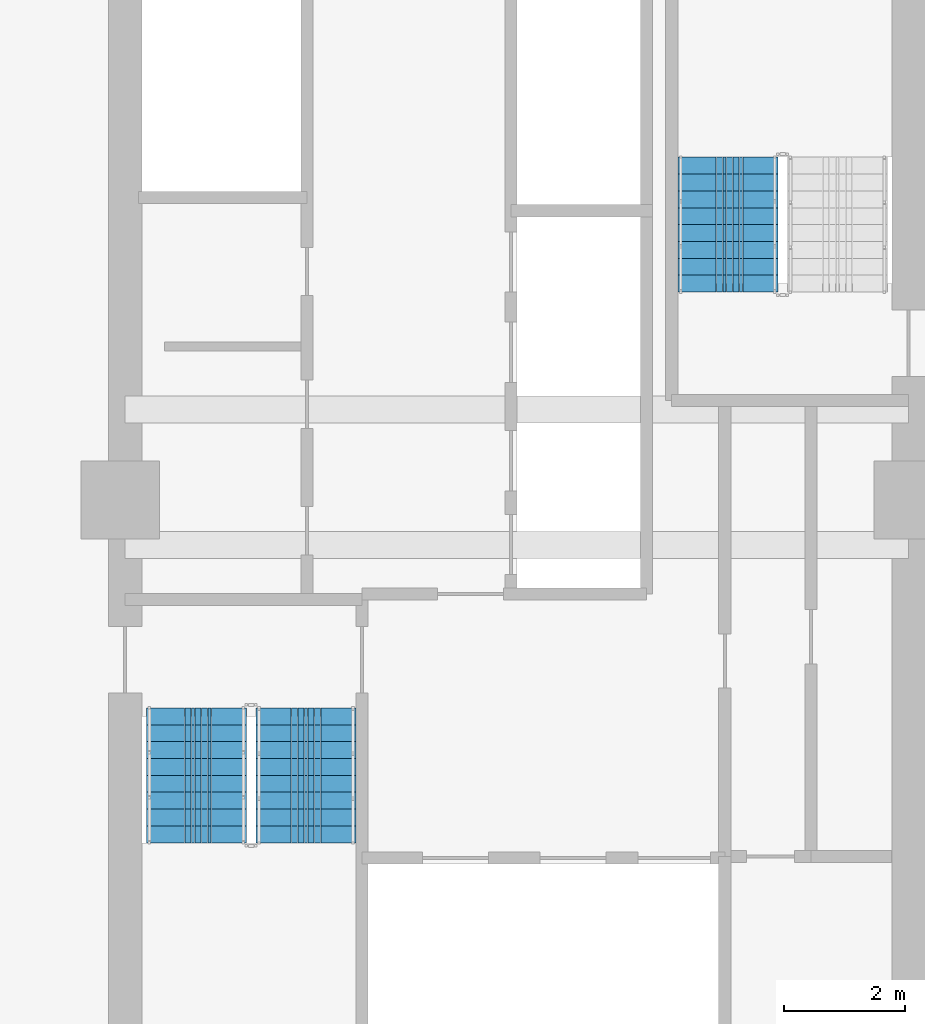
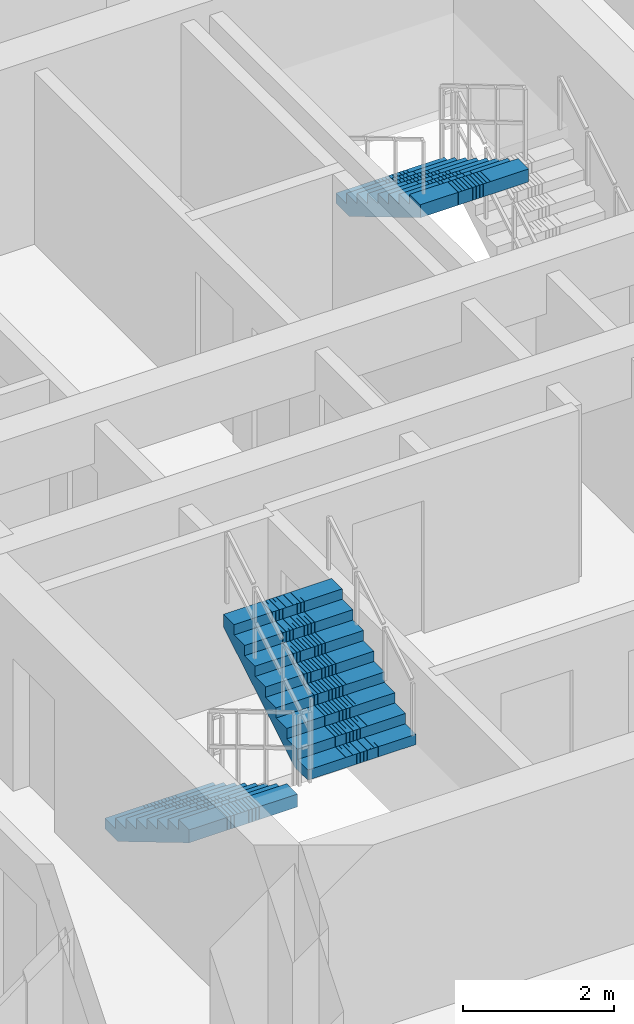
# One storey, part 19 of 24: 3 stair flights, 2 elements without a shape of their own.
"""IFC4 building model written with IfcOpenShell, lengths in metres."""

from ifc_helpers import new_model, si_unit, direction, frame, origin, place, context, subcontext, project, spatial, polyline, outline, extrude, material, type_object, element, aggregate, save


model = new_model("IFC4")

# Units and contexts
model_context = context("Model", 3, precision=1e-05, world=origin(), true_north=direction((0.0, 1.0)))
body_context = subcontext(model_context, "Body", "Model", "MODEL_VIEW")
ifc_project = project(units=[si_unit("LENGTHUNIT", "METRE"), si_unit("AREAUNIT", "SQUARE_METRE"), si_unit("VOLUMEUNIT", "CUBIC_METRE"), si_unit("PLANEANGLEUNIT", "RADIAN"), si_unit("MASSUNIT", "GRAM", prefix="KILO")], contexts=[model_context])

# Site, building, storey
site_placement = place(None, origin())
site = spatial("IfcSite", under=ifc_project, at=site_placement, CompositionType="ELEMENT")
building_placement = place(site_placement, origin())
building = spatial("IfcBuilding", under=site, at=building_placement, Name="Saelheon Loggia Tower", CompositionType="ELEMENT")
storey_placement = place(building_placement, frame((0.0, 0.0, 126.75)))
storey = spatial("IfcBuildingStorey", under=building, at=storey_placement, Name="L40", CompositionType="ELEMENT", Elevation=126.75)

# Stair, stair flights
ifc_material = material(Name="Concrete C40/50", Category="concrete")
stair_type = type_object("IfcStairType", Name="Stair_Escape_Core", PredefinedType="HALF_TURN_STAIR", material=ifc_material)
stair_1_placement = place(storey_placement, origin())
stair_1 = element("IfcStair", 1, at=stair_1_placement, inside=storey, type_object=stair_type, Name="L40 Special Escape Stair ST1", PredefinedType="HALF_TURN_STAIR")
stair_flight_type = type_object("IfcStairFlightType", Name="StairFlight_Tower_1660", PredefinedType="STRAIGHT", material=ifc_material)
stair_flight_1_placement = place(storey_placement, frame((32.679931640625, 23.550048828125, 0.0), z_axis=(0.0, 0.0, 1.0), x_axis=(0.0, -1.0, 0.0)))
stair_flight_1 = element("IfcStairFlight", 2, at=stair_flight_1_placement, type_object=stair_flight_type, Name="ST1 flight 1", NumberOfRisers=9, NumberOfTreads=8, PredefinedType="STRAIGHT", RiserHeight=0.166666667, TreadLength=0.28, context=body_context, shape_type="SweptSolid", body=[
    extrude(outline(polyline([(0.0, 0.0), (0.0, 0.166748046875), (0.280029296875, 0.166748046875), (0.280029296875, 0.333251953125), (0.56005859375, 0.333251953125), (0.56005859375, 0.5), (0.840087890625, 0.5), (0.840087890625, 0.666748046875), (1.1201171875, 0.666748046875), (1.1201171875, 0.833251953125), (1.39990234375, 0.833251953125), (1.39990234375, 1.0), (1.679931640625, 1.0), (1.679931640625, 1.166748046875), (1.9599609375, 1.166748046875), (1.9599609375, 1.333251953125), (2.239990234375, 1.333251953125), (2.239990234375, 1.5), (2.239990234375, 1.1240234375), (0.351806640625, 0.0), (0.0, 0.0)])), frame((0.0, -0.2490234375, 0.0), z_axis=(0.0, -1.0, 0.0), x_axis=(1.0, 0.0, 0.0)), (0.0, 0.0, 1.0), 0.5810546875),
    extrude(outline(polyline([(0.0, 0.0), (0.0, 0.166748046875), (0.280029296875, 0.166748046875), (0.280029296875, 0.333251953125), (0.56005859375, 0.333251953125), (0.56005859375, 0.5), (0.840087890625, 0.5), (0.840087890625, 0.666748046875), (1.1201171875, 0.666748046875), (1.1201171875, 0.833251953125), (1.39990234375, 0.833251953125), (1.39990234375, 1.0), (1.679931640625, 1.0), (1.679931640625, 1.166748046875), (1.9599609375, 1.166748046875), (1.9599609375, 1.333251953125), (2.239990234375, 1.333251953125), (2.239990234375, 1.5), (2.239990234375, 1.1240234375), (0.351806640625, 0.0), (0.0, 0.0)])), frame((0.0, -0.194091796875, 0.0), z_axis=(0.0, -1.0, 0.0), x_axis=(1.0, 0.0, 0.0)), (0.0, 0.0, 1.0), 0.0498046875),
    extrude(outline(polyline([(0.0, 0.0), (0.0, 0.166748046875), (0.280029296875, 0.166748046875), (0.280029296875, 0.333251953125), (0.56005859375, 0.333251953125), (0.56005859375, 0.5), (0.840087890625, 0.5), (0.840087890625, 0.666748046875), (1.1201171875, 0.666748046875), (1.1201171875, 0.833251953125), (1.39990234375, 0.833251953125), (1.39990234375, 1.0), (1.679931640625, 1.0), (1.679931640625, 1.166748046875), (1.9599609375, 1.166748046875), (1.9599609375, 1.333251953125), (2.239990234375, 1.333251953125), (2.239990234375, 1.5), (2.239990234375, 1.1240234375), (0.351806640625, 0.0), (0.0, 0.0)])), frame((0.0, -0.139404296875, 0.0), z_axis=(0.0, -1.0, 0.0), x_axis=(1.0, 0.0, 0.0)), (0.0, 0.0, 1.0), 0.0498046875),
    extrude(outline(polyline([(0.0, 0.0), (0.0, 0.166748046875), (0.280029296875, 0.166748046875), (0.280029296875, 0.333251953125), (0.56005859375, 0.333251953125), (0.56005859375, 0.5), (0.840087890625, 0.5), (0.840087890625, 0.666748046875), (1.1201171875, 0.666748046875), (1.1201171875, 0.833251953125), (1.39990234375, 0.833251953125), (1.39990234375, 1.0), (1.679931640625, 1.0), (1.679931640625, 1.166748046875), (1.9599609375, 1.166748046875), (1.9599609375, 1.333251953125), (2.239990234375, 1.333251953125), (2.239990234375, 1.5), (2.239990234375, 1.1240234375), (0.351806640625, 0.0), (0.0, 0.0)])), frame((0.0, -0.084716796875, 0.0), z_axis=(0.0, -1.0, 0.0), x_axis=(1.0, 0.0, 0.0)), (0.0, 0.0, 1.0), 0.0498046875),
    extrude(outline(polyline([(0.0, 0.0), (0.0, 0.166748046875), (0.280029296875, 0.166748046875), (0.280029296875, 0.333251953125), (0.56005859375, 0.333251953125), (0.56005859375, 0.5), (0.840087890625, 0.5), (0.840087890625, 0.666748046875), (1.1201171875, 0.666748046875), (1.1201171875, 0.833251953125), (1.39990234375, 0.833251953125), (1.39990234375, 1.0), (1.679931640625, 1.0), (1.679931640625, 1.166748046875), (1.9599609375, 1.166748046875), (1.9599609375, 1.333251953125), (2.239990234375, 1.333251953125), (2.239990234375, 1.5), (2.239990234375, 1.1240234375), (0.351806640625, 0.0), (0.0, 0.0)])), frame((0.0, -0.02978515625, 0.0), z_axis=(0.0, -1.0, 0.0), x_axis=(1.0, 0.0, 0.0)), (0.0, 0.0, 1.0), 0.0498046875),
    extrude(outline(polyline([(0.0, 0.0), (0.0, 0.166748046875), (0.280029296875, 0.166748046875), (0.280029296875, 0.333251953125), (0.56005859375, 0.333251953125), (0.56005859375, 0.5), (0.840087890625, 0.5), (0.840087890625, 0.666748046875), (1.1201171875, 0.666748046875), (1.1201171875, 0.833251953125), (1.39990234375, 0.833251953125), (1.39990234375, 1.0), (1.679931640625, 1.0), (1.679931640625, 1.166748046875), (1.9599609375, 1.166748046875), (1.9599609375, 1.333251953125), (2.239990234375, 1.333251953125), (2.239990234375, 1.5), (2.239990234375, 1.1240234375), (0.351806640625, 0.0), (0.0, 0.0)])), frame((0.0, 0.02490234375, 0.0), z_axis=(0.0, -1.0, 0.0), x_axis=(1.0, 0.0, 0.0)), (0.0, 0.0, 1.0), 0.0498046875),
    extrude(outline(polyline([(0.0, 0.0), (0.0, 0.166748046875), (0.280029296875, 0.166748046875), (0.280029296875, 0.333251953125), (0.56005859375, 0.333251953125), (0.56005859375, 0.5), (0.840087890625, 0.5), (0.840087890625, 0.666748046875), (1.1201171875, 0.666748046875), (1.1201171875, 0.833251953125), (1.39990234375, 0.833251953125), (1.39990234375, 1.0), (1.679931640625, 1.0), (1.679931640625, 1.166748046875), (1.9599609375, 1.166748046875), (1.9599609375, 1.333251953125), (2.239990234375, 1.333251953125), (2.239990234375, 1.5), (2.239990234375, 1.1240234375), (0.351806640625, 0.0), (0.0, 0.0)])), frame((0.0, 0.07958984375, 0.0), z_axis=(0.0, -1.0, 0.0), x_axis=(1.0, 0.0, 0.0)), (0.0, 0.0, 1.0), 0.0498046875),
    extrude(outline(polyline([(0.0, 0.0), (0.0, 0.166748046875), (0.280029296875, 0.166748046875), (0.280029296875, 0.333251953125), (0.56005859375, 0.333251953125), (0.56005859375, 0.5), (0.840087890625, 0.5), (0.840087890625, 0.666748046875), (1.1201171875, 0.666748046875), (1.1201171875, 0.833251953125), (1.39990234375, 0.833251953125), (1.39990234375, 1.0), (1.679931640625, 1.0), (1.679931640625, 1.166748046875), (1.9599609375, 1.166748046875), (1.9599609375, 1.333251953125), (2.239990234375, 1.333251953125), (2.239990234375, 1.5), (2.239990234375, 1.1240234375), (0.351806640625, 0.0), (0.0, 0.0)])), frame((0.0, 0.134521484375, 0.0), z_axis=(0.0, -1.0, 0.0), x_axis=(1.0, 0.0, 0.0)), (0.0, 0.0, 1.0), 0.0498046875),
    extrude(outline(polyline([(0.0, 0.0), (0.0, 0.166748046875), (0.280029296875, 0.166748046875), (0.280029296875, 0.333251953125), (0.56005859375, 0.333251953125), (0.56005859375, 0.5), (0.840087890625, 0.5), (0.840087890625, 0.666748046875), (1.1201171875, 0.666748046875), (1.1201171875, 0.833251953125), (1.39990234375, 0.833251953125), (1.39990234375, 1.0), (1.679931640625, 1.0), (1.679931640625, 1.166748046875), (1.9599609375, 1.166748046875), (1.9599609375, 1.333251953125), (2.239990234375, 1.333251953125), (2.239990234375, 1.5), (2.239990234375, 1.1240234375), (0.351806640625, 0.0), (0.0, 0.0)])), frame((0.0, 0.189208984375, 0.0), z_axis=(0.0, -1.0, 0.0), x_axis=(1.0, 0.0, 0.0)), (0.0, 0.0, 1.0), 0.0498046875),
    extrude(outline(polyline([(0.0, 0.0), (0.0, 0.166748046875), (0.280029296875, 0.166748046875), (0.280029296875, 0.333251953125), (0.56005859375, 0.333251953125), (0.56005859375, 0.5), (0.840087890625, 0.5), (0.840087890625, 0.666748046875), (1.1201171875, 0.666748046875), (1.1201171875, 0.833251953125), (1.39990234375, 0.833251953125), (1.39990234375, 1.0), (1.679931640625, 1.0), (1.679931640625, 1.166748046875), (1.9599609375, 1.166748046875), (1.9599609375, 1.333251953125), (2.239990234375, 1.333251953125), (2.239990234375, 1.5), (2.239990234375, 1.1240234375), (0.351806640625, 0.0), (0.0, 0.0)])), frame((0.0, 0.243896484375, 0.0), z_axis=(0.0, -1.0, 0.0), x_axis=(1.0, 0.0, 0.0)), (0.0, 0.0, 1.0), 0.0498046875),
    extrude(outline(polyline([(0.0, 0.0), (0.0, 0.166748046875), (0.280029296875, 0.166748046875), (0.280029296875, 0.333251953125), (0.56005859375, 0.333251953125), (0.56005859375, 0.5), (0.840087890625, 0.5), (0.840087890625, 0.666748046875), (1.1201171875, 0.666748046875), (1.1201171875, 0.833251953125), (1.39990234375, 0.833251953125), (1.39990234375, 1.0), (1.679931640625, 1.0), (1.679931640625, 1.166748046875), (1.9599609375, 1.166748046875), (1.9599609375, 1.333251953125), (2.239990234375, 1.333251953125), (2.239990234375, 1.5), (2.239990234375, 1.1240234375), (0.351806640625, 0.0), (0.0, 0.0)])), frame((0.0, 0.830078125, 0.0), z_axis=(0.0, -1.0, 0.0), x_axis=(1.0, 0.0, 0.0)), (0.0, 0.0, 1.0), 0.5810546875),
])
stair_flight_2_placement = place(storey_placement, frame((34.5, 21.31005859375, 1.5), z_axis=(0.0, 0.0, 1.0), x_axis=(0.0, 1.0, 0.0)))
stair_flight_2 = element("IfcStairFlight", 3, at=stair_flight_2_placement, type_object=stair_flight_type, Name="ST1 flight 2", NumberOfRisers=9, NumberOfTreads=8, PredefinedType="STRAIGHT", RiserHeight=0.166666667, TreadLength=0.28, context=body_context, shape_type="SweptSolid", body=[
    extrude(outline(polyline([(0.0, 0.0), (0.0, 0.166748046875), (0.280029296875, 0.166748046875), (0.280029296875, 0.333251953125), (0.56005859375, 0.333251953125), (0.56005859375, 0.5), (0.840087890625, 0.5), (0.840087890625, 0.666748046875), (1.1201171875, 0.666748046875), (1.1201171875, 0.833251953125), (1.39990234375, 0.833251953125), (1.39990234375, 1.0), (1.679931640625, 1.0), (1.679931640625, 1.166748046875), (1.9599609375, 1.166748046875), (1.9599609375, 1.333251953125), (2.239990234375, 1.333251953125), (2.239990234375, 1.5), (2.239990234375, 1.1240234375), (0.351806640625, 0.0), (0.0, 0.0)])), frame((0.0, -0.2490234375, 0.0), z_axis=(0.0, -1.0, 0.0), x_axis=(1.0, 0.0, 0.0)), (0.0, 0.0, 1.0), 0.5810546875),
    extrude(outline(polyline([(0.0, 0.0), (0.0, 0.166748046875), (0.280029296875, 0.166748046875), (0.280029296875, 0.333251953125), (0.56005859375, 0.333251953125), (0.56005859375, 0.5), (0.840087890625, 0.5), (0.840087890625, 0.666748046875), (1.1201171875, 0.666748046875), (1.1201171875, 0.833251953125), (1.39990234375, 0.833251953125), (1.39990234375, 1.0), (1.679931640625, 1.0), (1.679931640625, 1.166748046875), (1.9599609375, 1.166748046875), (1.9599609375, 1.333251953125), (2.239990234375, 1.333251953125), (2.239990234375, 1.5), (2.239990234375, 1.1240234375), (0.351806640625, 0.0), (0.0, 0.0)])), frame((0.0, -0.194091796875, 0.0), z_axis=(0.0, -1.0, 0.0), x_axis=(1.0, 0.0, 0.0)), (0.0, 0.0, 1.0), 0.0498046875),
    extrude(outline(polyline([(0.0, 0.0), (0.0, 0.166748046875), (0.280029296875, 0.166748046875), (0.280029296875, 0.333251953125), (0.56005859375, 0.333251953125), (0.56005859375, 0.5), (0.840087890625, 0.5), (0.840087890625, 0.666748046875), (1.1201171875, 0.666748046875), (1.1201171875, 0.833251953125), (1.39990234375, 0.833251953125), (1.39990234375, 1.0), (1.679931640625, 1.0), (1.679931640625, 1.166748046875), (1.9599609375, 1.166748046875), (1.9599609375, 1.333251953125), (2.239990234375, 1.333251953125), (2.239990234375, 1.5), (2.239990234375, 1.1240234375), (0.351806640625, 0.0), (0.0, 0.0)])), frame((0.0, -0.139404296875, 0.0), z_axis=(0.0, -1.0, 0.0), x_axis=(1.0, 0.0, 0.0)), (0.0, 0.0, 1.0), 0.0498046875),
    extrude(outline(polyline([(0.0, 0.0), (0.0, 0.166748046875), (0.280029296875, 0.166748046875), (0.280029296875, 0.333251953125), (0.56005859375, 0.333251953125), (0.56005859375, 0.5), (0.840087890625, 0.5), (0.840087890625, 0.666748046875), (1.1201171875, 0.666748046875), (1.1201171875, 0.833251953125), (1.39990234375, 0.833251953125), (1.39990234375, 1.0), (1.679931640625, 1.0), (1.679931640625, 1.166748046875), (1.9599609375, 1.166748046875), (1.9599609375, 1.333251953125), (2.239990234375, 1.333251953125), (2.239990234375, 1.5), (2.239990234375, 1.1240234375), (0.351806640625, 0.0), (0.0, 0.0)])), frame((0.0, -0.084716796875, 0.0), z_axis=(0.0, -1.0, 0.0), x_axis=(1.0, 0.0, 0.0)), (0.0, 0.0, 1.0), 0.0498046875),
    extrude(outline(polyline([(0.0, 0.0), (0.0, 0.166748046875), (0.280029296875, 0.166748046875), (0.280029296875, 0.333251953125), (0.56005859375, 0.333251953125), (0.56005859375, 0.5), (0.840087890625, 0.5), (0.840087890625, 0.666748046875), (1.1201171875, 0.666748046875), (1.1201171875, 0.833251953125), (1.39990234375, 0.833251953125), (1.39990234375, 1.0), (1.679931640625, 1.0), (1.679931640625, 1.166748046875), (1.9599609375, 1.166748046875), (1.9599609375, 1.333251953125), (2.239990234375, 1.333251953125), (2.239990234375, 1.5), (2.239990234375, 1.1240234375), (0.351806640625, 0.0), (0.0, 0.0)])), frame((0.0, -0.02978515625, 0.0), z_axis=(0.0, -1.0, 0.0), x_axis=(1.0, 0.0, 0.0)), (0.0, 0.0, 1.0), 0.0498046875),
    extrude(outline(polyline([(0.0, 0.0), (0.0, 0.166748046875), (0.280029296875, 0.166748046875), (0.280029296875, 0.333251953125), (0.56005859375, 0.333251953125), (0.56005859375, 0.5), (0.840087890625, 0.5), (0.840087890625, 0.666748046875), (1.1201171875, 0.666748046875), (1.1201171875, 0.833251953125), (1.39990234375, 0.833251953125), (1.39990234375, 1.0), (1.679931640625, 1.0), (1.679931640625, 1.166748046875), (1.9599609375, 1.166748046875), (1.9599609375, 1.333251953125), (2.239990234375, 1.333251953125), (2.239990234375, 1.5), (2.239990234375, 1.1240234375), (0.351806640625, 0.0), (0.0, 0.0)])), frame((0.0, 0.02490234375, 0.0), z_axis=(0.0, -1.0, 0.0), x_axis=(1.0, 0.0, 0.0)), (0.0, 0.0, 1.0), 0.0498046875),
    extrude(outline(polyline([(0.0, 0.0), (0.0, 0.166748046875), (0.280029296875, 0.166748046875), (0.280029296875, 0.333251953125), (0.56005859375, 0.333251953125), (0.56005859375, 0.5), (0.840087890625, 0.5), (0.840087890625, 0.666748046875), (1.1201171875, 0.666748046875), (1.1201171875, 0.833251953125), (1.39990234375, 0.833251953125), (1.39990234375, 1.0), (1.679931640625, 1.0), (1.679931640625, 1.166748046875), (1.9599609375, 1.166748046875), (1.9599609375, 1.333251953125), (2.239990234375, 1.333251953125), (2.239990234375, 1.5), (2.239990234375, 1.1240234375), (0.351806640625, 0.0), (0.0, 0.0)])), frame((0.0, 0.07958984375, 0.0), z_axis=(0.0, -1.0, 0.0), x_axis=(1.0, 0.0, 0.0)), (0.0, 0.0, 1.0), 0.0498046875),
    extrude(outline(polyline([(0.0, 0.0), (0.0, 0.166748046875), (0.280029296875, 0.166748046875), (0.280029296875, 0.333251953125), (0.56005859375, 0.333251953125), (0.56005859375, 0.5), (0.840087890625, 0.5), (0.840087890625, 0.666748046875), (1.1201171875, 0.666748046875), (1.1201171875, 0.833251953125), (1.39990234375, 0.833251953125), (1.39990234375, 1.0), (1.679931640625, 1.0), (1.679931640625, 1.166748046875), (1.9599609375, 1.166748046875), (1.9599609375, 1.333251953125), (2.239990234375, 1.333251953125), (2.239990234375, 1.5), (2.239990234375, 1.1240234375), (0.351806640625, 0.0), (0.0, 0.0)])), frame((0.0, 0.134521484375, 0.0), z_axis=(0.0, -1.0, 0.0), x_axis=(1.0, 0.0, 0.0)), (0.0, 0.0, 1.0), 0.0498046875),
    extrude(outline(polyline([(0.0, 0.0), (0.0, 0.166748046875), (0.280029296875, 0.166748046875), (0.280029296875, 0.333251953125), (0.56005859375, 0.333251953125), (0.56005859375, 0.5), (0.840087890625, 0.5), (0.840087890625, 0.666748046875), (1.1201171875, 0.666748046875), (1.1201171875, 0.833251953125), (1.39990234375, 0.833251953125), (1.39990234375, 1.0), (1.679931640625, 1.0), (1.679931640625, 1.166748046875), (1.9599609375, 1.166748046875), (1.9599609375, 1.333251953125), (2.239990234375, 1.333251953125), (2.239990234375, 1.5), (2.239990234375, 1.1240234375), (0.351806640625, 0.0), (0.0, 0.0)])), frame((0.0, 0.189208984375, 0.0), z_axis=(0.0, -1.0, 0.0), x_axis=(1.0, 0.0, 0.0)), (0.0, 0.0, 1.0), 0.0498046875),
    extrude(outline(polyline([(0.0, 0.0), (0.0, 0.166748046875), (0.280029296875, 0.166748046875), (0.280029296875, 0.333251953125), (0.56005859375, 0.333251953125), (0.56005859375, 0.5), (0.840087890625, 0.5), (0.840087890625, 0.666748046875), (1.1201171875, 0.666748046875), (1.1201171875, 0.833251953125), (1.39990234375, 0.833251953125), (1.39990234375, 1.0), (1.679931640625, 1.0), (1.679931640625, 1.166748046875), (1.9599609375, 1.166748046875), (1.9599609375, 1.333251953125), (2.239990234375, 1.333251953125), (2.239990234375, 1.5), (2.239990234375, 1.1240234375), (0.351806640625, 0.0), (0.0, 0.0)])), frame((0.0, 0.243896484375, 0.0), z_axis=(0.0, -1.0, 0.0), x_axis=(1.0, 0.0, 0.0)), (0.0, 0.0, 1.0), 0.0498046875),
    extrude(outline(polyline([(0.0, 0.0), (0.0, 0.166748046875), (0.280029296875, 0.166748046875), (0.280029296875, 0.333251953125), (0.56005859375, 0.333251953125), (0.56005859375, 0.5), (0.840087890625, 0.5), (0.840087890625, 0.666748046875), (1.1201171875, 0.666748046875), (1.1201171875, 0.833251953125), (1.39990234375, 0.833251953125), (1.39990234375, 1.0), (1.679931640625, 1.0), (1.679931640625, 1.166748046875), (1.9599609375, 1.166748046875), (1.9599609375, 1.333251953125), (2.239990234375, 1.333251953125), (2.239990234375, 1.5), (2.239990234375, 1.1240234375), (0.351806640625, 0.0), (0.0, 0.0)])), frame((0.0, 0.830078125, 0.0), z_axis=(0.0, -1.0, 0.0), x_axis=(1.0, 0.0, 0.0)), (0.0, 0.0, 1.0), 0.5810546875),
])
aggregate(stair_1, [stair_flight_1, stair_flight_2])

# Stair, stair flight
stair_2_placement = place(storey_placement, origin())
stair_2 = element("IfcStair", 4, at=stair_2_placement, inside=storey, type_object=stair_type, Name="L40 Special Escape Stair ST2", PredefinedType="HALF_TURN_STAIR")
stair_flight_3_placement = place(storey_placement, frame((41.5, 32.68994140625, 1.5), z_axis=(0.0, 0.0, 1.0), x_axis=(0.0, -1.0, 0.0)))
stair_flight_3 = element("IfcStairFlight", 5, at=stair_flight_3_placement, type_object=stair_flight_type, Name="ST2 flight 2", NumberOfRisers=9, NumberOfTreads=8, PredefinedType="STRAIGHT", RiserHeight=0.166666667, TreadLength=0.28, context=body_context, shape_type="SweptSolid", body=[
    extrude(outline(polyline([(0.0, 0.0), (0.0, 0.166748046875), (0.280029296875, 0.166748046875), (0.280029296875, 0.333251953125), (0.56005859375, 0.333251953125), (0.56005859375, 0.5), (0.840087890625, 0.5), (0.840087890625, 0.666748046875), (1.1201171875, 0.666748046875), (1.1201171875, 0.833251953125), (1.39990234375, 0.833251953125), (1.39990234375, 1.0), (1.679931640625, 1.0), (1.679931640625, 1.166748046875), (1.9599609375, 1.166748046875), (1.9599609375, 1.333251953125), (2.239990234375, 1.333251953125), (2.239990234375, 1.5), (2.239990234375, 1.1240234375), (0.351806640625, 0.0), (0.0, 0.0)])), frame((0.0, -0.2490234375, 0.0), z_axis=(0.0, -1.0, 0.0), x_axis=(1.0, 0.0, 0.0)), (0.0, 0.0, 1.0), 0.5810546875),
    extrude(outline(polyline([(0.0, 0.0), (0.0, 0.166748046875), (0.280029296875, 0.166748046875), (0.280029296875, 0.333251953125), (0.56005859375, 0.333251953125), (0.56005859375, 0.5), (0.840087890625, 0.5), (0.840087890625, 0.666748046875), (1.1201171875, 0.666748046875), (1.1201171875, 0.833251953125), (1.39990234375, 0.833251953125), (1.39990234375, 1.0), (1.679931640625, 1.0), (1.679931640625, 1.166748046875), (1.9599609375, 1.166748046875), (1.9599609375, 1.333251953125), (2.239990234375, 1.333251953125), (2.239990234375, 1.5), (2.239990234375, 1.1240234375), (0.351806640625, 0.0), (0.0, 0.0)])), frame((0.0, -0.194091796875, 0.0), z_axis=(0.0, -1.0, 0.0), x_axis=(1.0, 0.0, 0.0)), (0.0, 0.0, 1.0), 0.0498046875),
    extrude(outline(polyline([(0.0, 0.0), (0.0, 0.166748046875), (0.280029296875, 0.166748046875), (0.280029296875, 0.333251953125), (0.56005859375, 0.333251953125), (0.56005859375, 0.5), (0.840087890625, 0.5), (0.840087890625, 0.666748046875), (1.1201171875, 0.666748046875), (1.1201171875, 0.833251953125), (1.39990234375, 0.833251953125), (1.39990234375, 1.0), (1.679931640625, 1.0), (1.679931640625, 1.166748046875), (1.9599609375, 1.166748046875), (1.9599609375, 1.333251953125), (2.239990234375, 1.333251953125), (2.239990234375, 1.5), (2.239990234375, 1.1240234375), (0.351806640625, 0.0), (0.0, 0.0)])), frame((0.0, -0.139404296875, 0.0), z_axis=(0.0, -1.0, 0.0), x_axis=(1.0, 0.0, 0.0)), (0.0, 0.0, 1.0), 0.0498046875),
    extrude(outline(polyline([(0.0, 0.0), (0.0, 0.166748046875), (0.280029296875, 0.166748046875), (0.280029296875, 0.333251953125), (0.56005859375, 0.333251953125), (0.56005859375, 0.5), (0.840087890625, 0.5), (0.840087890625, 0.666748046875), (1.1201171875, 0.666748046875), (1.1201171875, 0.833251953125), (1.39990234375, 0.833251953125), (1.39990234375, 1.0), (1.679931640625, 1.0), (1.679931640625, 1.166748046875), (1.9599609375, 1.166748046875), (1.9599609375, 1.333251953125), (2.239990234375, 1.333251953125), (2.239990234375, 1.5), (2.239990234375, 1.1240234375), (0.351806640625, 0.0), (0.0, 0.0)])), frame((0.0, -0.084716796875, 0.0), z_axis=(0.0, -1.0, 0.0), x_axis=(1.0, 0.0, 0.0)), (0.0, 0.0, 1.0), 0.0498046875),
    extrude(outline(polyline([(0.0, 0.0), (0.0, 0.166748046875), (0.280029296875, 0.166748046875), (0.280029296875, 0.333251953125), (0.56005859375, 0.333251953125), (0.56005859375, 0.5), (0.840087890625, 0.5), (0.840087890625, 0.666748046875), (1.1201171875, 0.666748046875), (1.1201171875, 0.833251953125), (1.39990234375, 0.833251953125), (1.39990234375, 1.0), (1.679931640625, 1.0), (1.679931640625, 1.166748046875), (1.9599609375, 1.166748046875), (1.9599609375, 1.333251953125), (2.239990234375, 1.333251953125), (2.239990234375, 1.5), (2.239990234375, 1.1240234375), (0.351806640625, 0.0), (0.0, 0.0)])), frame((0.0, -0.02978515625, 0.0), z_axis=(0.0, -1.0, 0.0), x_axis=(1.0, 0.0, 0.0)), (0.0, 0.0, 1.0), 0.0498046875),
    extrude(outline(polyline([(0.0, 0.0), (0.0, 0.166748046875), (0.280029296875, 0.166748046875), (0.280029296875, 0.333251953125), (0.56005859375, 0.333251953125), (0.56005859375, 0.5), (0.840087890625, 0.5), (0.840087890625, 0.666748046875), (1.1201171875, 0.666748046875), (1.1201171875, 0.833251953125), (1.39990234375, 0.833251953125), (1.39990234375, 1.0), (1.679931640625, 1.0), (1.679931640625, 1.166748046875), (1.9599609375, 1.166748046875), (1.9599609375, 1.333251953125), (2.239990234375, 1.333251953125), (2.239990234375, 1.5), (2.239990234375, 1.1240234375), (0.351806640625, 0.0), (0.0, 0.0)])), frame((0.0, 0.02490234375, 0.0), z_axis=(0.0, -1.0, 0.0), x_axis=(1.0, 0.0, 0.0)), (0.0, 0.0, 1.0), 0.0498046875),
    extrude(outline(polyline([(0.0, 0.0), (0.0, 0.166748046875), (0.280029296875, 0.166748046875), (0.280029296875, 0.333251953125), (0.56005859375, 0.333251953125), (0.56005859375, 0.5), (0.840087890625, 0.5), (0.840087890625, 0.666748046875), (1.1201171875, 0.666748046875), (1.1201171875, 0.833251953125), (1.39990234375, 0.833251953125), (1.39990234375, 1.0), (1.679931640625, 1.0), (1.679931640625, 1.166748046875), (1.9599609375, 1.166748046875), (1.9599609375, 1.333251953125), (2.239990234375, 1.333251953125), (2.239990234375, 1.5), (2.239990234375, 1.1240234375), (0.351806640625, 0.0), (0.0, 0.0)])), frame((0.0, 0.07958984375, 0.0), z_axis=(0.0, -1.0, 0.0), x_axis=(1.0, 0.0, 0.0)), (0.0, 0.0, 1.0), 0.0498046875),
    extrude(outline(polyline([(0.0, 0.0), (0.0, 0.166748046875), (0.280029296875, 0.166748046875), (0.280029296875, 0.333251953125), (0.56005859375, 0.333251953125), (0.56005859375, 0.5), (0.840087890625, 0.5), (0.840087890625, 0.666748046875), (1.1201171875, 0.666748046875), (1.1201171875, 0.833251953125), (1.39990234375, 0.833251953125), (1.39990234375, 1.0), (1.679931640625, 1.0), (1.679931640625, 1.166748046875), (1.9599609375, 1.166748046875), (1.9599609375, 1.333251953125), (2.239990234375, 1.333251953125), (2.239990234375, 1.5), (2.239990234375, 1.1240234375), (0.351806640625, 0.0), (0.0, 0.0)])), frame((0.0, 0.134521484375, 0.0), z_axis=(0.0, -1.0, 0.0), x_axis=(1.0, 0.0, 0.0)), (0.0, 0.0, 1.0), 0.0498046875),
    extrude(outline(polyline([(0.0, 0.0), (0.0, 0.166748046875), (0.280029296875, 0.166748046875), (0.280029296875, 0.333251953125), (0.56005859375, 0.333251953125), (0.56005859375, 0.5), (0.840087890625, 0.5), (0.840087890625, 0.666748046875), (1.1201171875, 0.666748046875), (1.1201171875, 0.833251953125), (1.39990234375, 0.833251953125), (1.39990234375, 1.0), (1.679931640625, 1.0), (1.679931640625, 1.166748046875), (1.9599609375, 1.166748046875), (1.9599609375, 1.333251953125), (2.239990234375, 1.333251953125), (2.239990234375, 1.5), (2.239990234375, 1.1240234375), (0.351806640625, 0.0), (0.0, 0.0)])), frame((0.0, 0.189208984375, 0.0), z_axis=(0.0, -1.0, 0.0), x_axis=(1.0, 0.0, 0.0)), (0.0, 0.0, 1.0), 0.0498046875),
    extrude(outline(polyline([(0.0, 0.0), (0.0, 0.166748046875), (0.280029296875, 0.166748046875), (0.280029296875, 0.333251953125), (0.56005859375, 0.333251953125), (0.56005859375, 0.5), (0.840087890625, 0.5), (0.840087890625, 0.666748046875), (1.1201171875, 0.666748046875), (1.1201171875, 0.833251953125), (1.39990234375, 0.833251953125), (1.39990234375, 1.0), (1.679931640625, 1.0), (1.679931640625, 1.166748046875), (1.9599609375, 1.166748046875), (1.9599609375, 1.333251953125), (2.239990234375, 1.333251953125), (2.239990234375, 1.5), (2.239990234375, 1.1240234375), (0.351806640625, 0.0), (0.0, 0.0)])), frame((0.0, 0.243896484375, 0.0), z_axis=(0.0, -1.0, 0.0), x_axis=(1.0, 0.0, 0.0)), (0.0, 0.0, 1.0), 0.0498046875),
    extrude(outline(polyline([(0.0, 0.0), (0.0, 0.166748046875), (0.280029296875, 0.166748046875), (0.280029296875, 0.333251953125), (0.56005859375, 0.333251953125), (0.56005859375, 0.5), (0.840087890625, 0.5), (0.840087890625, 0.666748046875), (1.1201171875, 0.666748046875), (1.1201171875, 0.833251953125), (1.39990234375, 0.833251953125), (1.39990234375, 1.0), (1.679931640625, 1.0), (1.679931640625, 1.166748046875), (1.9599609375, 1.166748046875), (1.9599609375, 1.333251953125), (2.239990234375, 1.333251953125), (2.239990234375, 1.5), (2.239990234375, 1.1240234375), (0.351806640625, 0.0), (0.0, 0.0)])), frame((0.0, 0.830078125, 0.0), z_axis=(0.0, -1.0, 0.0), x_axis=(1.0, 0.0, 0.0)), (0.0, 0.0, 1.0), 0.5810546875),
])
aggregate(stair_2, [stair_flight_3])

save(model, "model.ifc")
